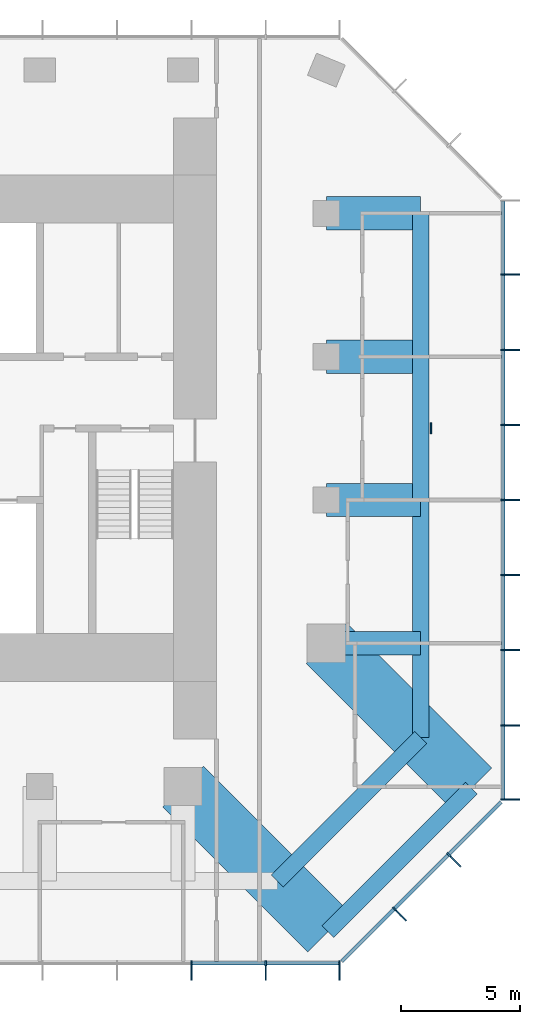
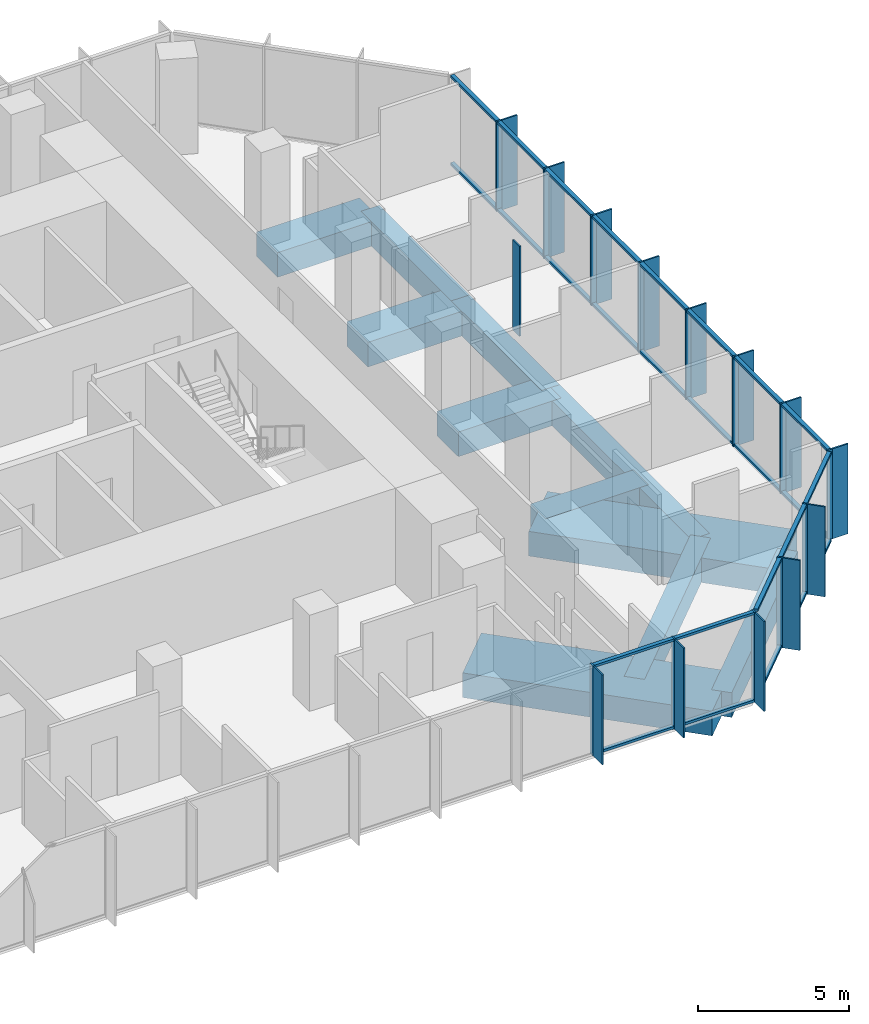
# One storey, part 4 of 11: 53 members, 11 beams, 3 elements without a shape of their own.
"""IFC4 building model written with IfcOpenShell, lengths in metres."""

from ifc_helpers import new_model, si_unit, direction, frame, origin, origin_2d, place, context, subcontext, project, spatial, rectangle, extrude, material, layer, layer_set, material_profile, profile_set, type_object, element, aggregate, save


model = new_model("IFC4")

# Units and contexts
model_context = context("Model", 3, precision=1e-05, world=origin(), true_north=direction((0.0, 1.0)))
body_context = subcontext(model_context, "Body", "Model", "MODEL_VIEW")
ifc_project = project(units=[si_unit("LENGTHUNIT", "METRE"), si_unit("AREAUNIT", "SQUARE_METRE"), si_unit("VOLUMEUNIT", "CUBIC_METRE"), si_unit("PLANEANGLEUNIT", "RADIAN"), si_unit("MASSUNIT", "GRAM", prefix="KILO")], contexts=[model_context])

# Site, building, storey
site_placement = place(None, origin())
site = spatial("IfcSite", under=ifc_project, at=site_placement, CompositionType="ELEMENT")
building_placement = place(site_placement, origin())
building = spatial("IfcBuilding", under=site, at=building_placement, Name="Highveld Stack Headquarters", CompositionType="ELEMENT")
storey_placement = place(building_placement, frame((0.0, 0.0, 291.800048828125)))
storey = spatial("IfcBuildingStorey", under=building, at=storey_placement, Name="L72", CompositionType="ELEMENT", Elevation=291.800048828125)

# Beams
ifc_material_1 = material(Name="Concrete C60/75", Category="concrete")
ifc_material_profile_1 = material_profile(ifc_material_1, rectangle(XDim=1.0, YDim=1.0, at=origin_2d()), Name="RC 1000x1000")
ifc_profile_set_1 = profile_set([ifc_material_profile_1], Name="Concrete C60/75")
beam_type_1 = type_object("IfcBeamType", Name="CANTILEVER RIB RC 1000x1000", PredefinedType="USERDEFINED", material=ifc_profile_set_1)
beam_1_placement = place(storey_placement, frame((24.0, -6.0, -0.75), z_axis=(1.0, 0.0, 0.0), x_axis=(0.0, 1.0, 0.0)))
element("IfcBeam", 1, at=beam_1_placement, inside=storey, type_object=beam_type_1, Name="Cantilever rib 10/D L72", ObjectType="CANTILEVER RIB", PredefinedType="USERDEFINED", context=body_context, shape_type="SweptSolid", body=[
    extrude(rectangle(XDim=1.0, YDim=1.0, at=origin_2d()), origin(), (0.0, 0.0, 1.0), 3.949951171875),
])
ifc_material_2 = material(Name="Concrete C60/75", Category="concrete")
ifc_material_profile_2 = material_profile(ifc_material_2, rectangle(XDim=1.39990234375, YDim=1.0, at=origin_2d()), Name="RC 1400x1000")
ifc_profile_set_2 = profile_set([ifc_material_profile_2], Name="Concrete C60/75")
beam_type_2 = type_object("IfcBeamType", Name="CANTILEVER RIB RC 1400x1000", PredefinedType="USERDEFINED", material=ifc_profile_set_2)
for number, where, z_axis, x_axis, name in (
    (2, (24.0, 0.0, -0.75), (1.0, 0.0, 0.0), (0.0, 1.0, 0.0), "Cantilever rib 10/E L72"),
    (3, (24.0, 6.0, -0.75), (1.0, 0.0, 0.0), (0.0, 1.0, 0.0), "Cantilever rib 10/F L72"),
    (4, (24.0, 12.0, -0.75), (1.0, 0.0, 0.0), (0.0, 1.0, 0.0), "Cantilever rib 10/G L72"),
):
    element("IfcBeam", number, at=place(storey_placement, frame(where, z_axis=z_axis, x_axis=x_axis)), inside=storey, type_object=beam_type_2, Name=name, ObjectType="CANTILEVER RIB", PredefinedType="USERDEFINED", context=body_context, shape_type="SweptSolid", body=[
        extrude(rectangle(XDim=1.39990234375, YDim=1.0, at=origin_2d()), origin(), (0.0, 0.0, 1.0), 3.949951171875),
    ])
ifc_material_3 = material(Name="Concrete C60/75", Category="concrete")
ifc_material_profile_3 = material_profile(ifc_material_3, rectangle(XDim=2.39990234375, YDim=1.0, at=origin_2d()), Name="RC 2400x1000")
ifc_profile_set_3 = profile_set([ifc_material_profile_3], Name="Concrete C60/75")
beam_type_3 = type_object("IfcBeamType", Name="CANTILEVER RIB RC 2400x1000", PredefinedType="USERDEFINED", material=ifc_profile_set_3)
for number, where, z_axis, x_axis, name in (
    (5, (18.0, -12.0, -0.75), (0.707106781187, -0.707106781187, 0.0), (0.707106781187, 0.707106781187, 0.0), "Cantilever rib 9/C L72"),
    (6, (24.0, -6.0, -0.75), (0.707106781187, -0.707106781187, 0.0), (0.707106781187, 0.707106781187, 0.0), "Cantilever rib 10/D L72"),
):
    element("IfcBeam", number, at=place(storey_placement, frame(where, z_axis=z_axis, x_axis=x_axis)), inside=storey, type_object=beam_type_3, Name=name, ObjectType="CANTILEVER RIB", PredefinedType="USERDEFINED", context=body_context, shape_type="SweptSolid", body=[
        extrude(rectangle(XDim=2.39990234375, YDim=1.0, at=origin_2d()), origin(), (0.0, 0.0, 1.0), 8.585693359375),
    ])

# Curtain wall, members
ifc_material_4 = material(Name="Aluminium bronze anodised", Category="aluminium")
ifc_layer = layer(ifc_material_4, 0.199951171875)
ifc_layer_set = layer_set([ifc_layer], Name="Aluminium bronze anodised")
curtain_wall_type = type_object("IfcCurtainWallType", Name="CW5 EXECUTIVE UNITISED CURTAIN WALL", PredefinedType="NOTDEFINED", material=ifc_layer_set)
curtain_wall_1_placement = place(storey_placement, origin())
curtain_wall_1 = element("IfcCurtainWall", 7, at=curtain_wall_1_placement, inside=storey, type_object=curtain_wall_type, Name="Curtain wall CW5 L72 S", PredefinedType="NOTDEFINED")
ifc_material_5 = material(Name="Aluminium bronze anodised", Category="aluminium")
ifc_material_profile_4 = material_profile(ifc_material_5, rectangle(XDim=0.60009765625, YDim=0.06005859375, at=origin_2d()), Name="FIN 600x60")
ifc_profile_set_4 = profile_set([ifc_material_profile_4], Name="Aluminium bronze anodised")
member_type_1 = type_object("IfcMemberType", Name="CW5 BRONZE FIN 600x60", PredefinedType="USERDEFINED", material=ifc_profile_set_4)
member_1_placement = place(storey_placement, frame((18.347900390625, -19.800048828125, 0.0), z_axis=(0.0, 0.0, 1.0), x_axis=(0.0, 1.0, 0.0)))
member_1 = element("IfcMember", 8, at=member_1_placement, type_object=member_type_1, Name="CW5 fin L72 9", ObjectType="FIN", PredefinedType="USERDEFINED", context=body_context, shape_type="SweptSolid", body=[
    extrude(rectangle(XDim=0.60009765625, YDim=0.06005859375, at=origin_2d()), origin(), (0.0, 0.0, 1.0), 3.64990234375),
])
member_2_placement = place(storey_placement, frame((21.4638671875, -19.800048828125, 0.0), z_axis=(0.0, 0.0, 1.0), x_axis=(0.0, 1.0, 0.0)))
member_2 = element("IfcMember", 9, at=member_2_placement, type_object=member_type_1, Name="CW5 fin L72 10", ObjectType="FIN", PredefinedType="USERDEFINED", context=body_context, shape_type="SweptSolid", body=[
    extrude(rectangle(XDim=0.60009765625, YDim=0.06005859375, at=origin_2d()), origin(), (0.0, 0.0, 1.0), 3.64990234375),
])
member_3_placement = place(storey_placement, frame((24.54736328125, -19.800048828125, 0.0), z_axis=(0.0, 0.0, 1.0), x_axis=(0.0, 1.0, 0.0)))
member_3 = element("IfcMember", 10, at=member_3_placement, type_object=member_type_1, Name="CW5 fin L72 11", ObjectType="FIN", PredefinedType="USERDEFINED", context=body_context, shape_type="SweptSolid", body=[
    extrude(rectangle(XDim=0.60009765625, YDim=0.06005859375, at=origin_2d()), origin(), (0.0, 0.0, 1.0), 3.64990234375),
])

curtain_wall_2_placement = place(storey_placement, origin())
curtain_wall_2 = element("IfcCurtainWall", 11, at=curtain_wall_2_placement, inside=storey, type_object=curtain_wall_type, Name="Curtain wall CW5 L72 SE", PredefinedType="NOTDEFINED")
member_4_placement = place(storey_placement, frame((27.135986328125, -17.409423828125, 0.0), z_axis=(0.0, 0.0, 1.0), x_axis=(-0.707106781187, 0.707106781187, 0.0)))
member_4 = element("IfcMember", 12, at=member_4_placement, type_object=member_type_1, Name="CW5 fin L72 1", ObjectType="FIN", PredefinedType="USERDEFINED", context=body_context, shape_type="SweptSolid", body=[
    extrude(rectangle(XDim=0.60009765625, YDim=0.06005859375, at=origin_2d()), origin(), (0.0, 0.0, 1.0), 3.64990234375),
])
member_5_placement = place(storey_placement, frame((29.409423828125, -15.135986328125, 0.0), z_axis=(0.0, 0.0, 1.0), x_axis=(-0.707106781187, 0.707106781187, 0.0)))
member_5 = element("IfcMember", 13, at=member_5_placement, type_object=member_type_1, Name="CW5 fin L72 2", ObjectType="FIN", PredefinedType="USERDEFINED", context=body_context, shape_type="SweptSolid", body=[
    extrude(rectangle(XDim=0.60009765625, YDim=0.06005859375, at=origin_2d()), origin(), (0.0, 0.0, 1.0), 3.64990234375),
])

curtain_wall_3_placement = place(storey_placement, origin())
curtain_wall_3 = element("IfcCurtainWall", 14, at=curtain_wall_3_placement, inside=storey, type_object=curtain_wall_type, Name="Curtain wall CW5 L72 E", PredefinedType="NOTDEFINED")
member_6_placement = place(storey_placement, frame((31.800048828125, -12.54736328125, 0.0), z_axis=(0.0, 0.0, 1.0), x_axis=(-1.0, 0.0, 0.0)))
member_6 = element("IfcMember", 15, at=member_6_placement, type_object=member_type_1, Name="CW5 fin L72 1", ObjectType="FIN", PredefinedType="USERDEFINED", context=body_context, shape_type="SweptSolid", body=[
    extrude(rectangle(XDim=0.60009765625, YDim=0.06005859375, at=origin_2d()), origin(), (0.0, 0.0, 1.0), 3.64990234375),
])
member_7_placement = place(storey_placement, frame((31.800048828125, -9.434814453125, 0.0), z_axis=(0.0, 0.0, 1.0), x_axis=(-1.0, 0.0, 0.0)))
member_7 = element("IfcMember", 16, at=member_7_placement, type_object=member_type_1, Name="CW5 fin L72 2", ObjectType="FIN", PredefinedType="USERDEFINED", context=body_context, shape_type="SweptSolid", body=[
    extrude(rectangle(XDim=0.60009765625, YDim=0.06005859375, at=origin_2d()), origin(), (0.0, 0.0, 1.0), 3.64990234375),
])
member_8_placement = place(storey_placement, frame((31.800048828125, -6.2900390625, 0.0), z_axis=(0.0, 0.0, 1.0), x_axis=(-1.0, 0.0, 0.0)))
member_8 = element("IfcMember", 17, at=member_8_placement, type_object=member_type_1, Name="CW5 fin L72 3", ObjectType="FIN", PredefinedType="USERDEFINED", context=body_context, shape_type="SweptSolid", body=[
    extrude(rectangle(XDim=0.60009765625, YDim=0.06005859375, at=origin_2d()), origin(), (0.0, 0.0, 1.0), 3.64990234375),
])
member_9_placement = place(storey_placement, frame((31.800048828125, -3.14501953125, 0.0), z_axis=(0.0, 0.0, 1.0), x_axis=(-1.0, 0.0, 0.0)))
member_9 = element("IfcMember", 18, at=member_9_placement, type_object=member_type_1, Name="CW5 fin L72 4", ObjectType="FIN", PredefinedType="USERDEFINED", context=body_context, shape_type="SweptSolid", body=[
    extrude(rectangle(XDim=0.60009765625, YDim=0.06005859375, at=origin_2d()), origin(), (0.0, 0.0, 1.0), 3.64990234375),
])
member_10_placement = place(storey_placement, frame((31.800048828125, 0.0, 0.0), z_axis=(0.0, 0.0, 1.0), x_axis=(-1.0, 0.0, 0.0)))
member_10 = element("IfcMember", 19, at=member_10_placement, type_object=member_type_1, Name="CW5 fin L72 5", ObjectType="FIN", PredefinedType="USERDEFINED", context=body_context, shape_type="SweptSolid", body=[
    extrude(rectangle(XDim=0.60009765625, YDim=0.06005859375, at=origin_2d()), origin(), (0.0, 0.0, 1.0), 3.64990234375),
])
member_11_placement = place(storey_placement, frame((31.800048828125, 3.14501953125, 0.0), z_axis=(0.0, 0.0, 1.0), x_axis=(-1.0, 0.0, 0.0)))
member_11 = element("IfcMember", 20, at=member_11_placement, type_object=member_type_1, Name="CW5 fin L72 6", ObjectType="FIN", PredefinedType="USERDEFINED", context=body_context, shape_type="SweptSolid", body=[
    extrude(rectangle(XDim=0.60009765625, YDim=0.06005859375, at=origin_2d()), origin(), (0.0, 0.0, 1.0), 3.64990234375),
])
member_12_placement = place(storey_placement, frame((31.800048828125, 6.289794921875, 0.0), z_axis=(0.0, 0.0, 1.0), x_axis=(-1.0, 0.0, 0.0)))
member_12 = element("IfcMember", 21, at=member_12_placement, type_object=member_type_1, Name="CW5 fin L72 7", ObjectType="FIN", PredefinedType="USERDEFINED", context=body_context, shape_type="SweptSolid", body=[
    extrude(rectangle(XDim=0.60009765625, YDim=0.06005859375, at=origin_2d()), origin(), (0.0, 0.0, 1.0), 3.64990234375),
])
member_13_placement = place(storey_placement, frame((31.800048828125, 9.434814453125, 0.0), z_axis=(0.0, 0.0, 1.0), x_axis=(-1.0, 0.0, 0.0)))
member_13 = element("IfcMember", 22, at=member_13_placement, type_object=member_type_1, Name="CW5 fin L72 8", ObjectType="FIN", PredefinedType="USERDEFINED", context=body_context, shape_type="SweptSolid", body=[
    extrude(rectangle(XDim=0.60009765625, YDim=0.06005859375, at=origin_2d()), origin(), (0.0, 0.0, 1.0), 3.64990234375),
])

# Member
ifc_material_6 = material(Name="Aluminium bronze anodised", Category="aluminium")
ifc_material_profile_5 = material_profile(ifc_material_6, rectangle(XDim=0.199951171875, YDim=0.06494140625, at=origin_2d()), Name="CW5 MULLION 65x200")
ifc_profile_set_5 = profile_set([ifc_material_profile_5], Name="Aluminium bronze anodised")
member_type_2 = type_object("IfcMemberType", Name="CW5 MULLION 65x200", PredefinedType="MULLION", material=ifc_profile_set_5)
member_14_placement = place(storey_placement, frame((18.347900390625, -19.39990234375, 0.0), z_axis=(0.0, 0.0, 1.0), x_axis=(0.0, 1.0, 0.0)))
member_14 = element("IfcMember", 23, at=member_14_placement, type_object=member_type_2, Name="CW5 mullion L72 9", PredefinedType="MULLION", context=body_context, shape_type="SweptSolid", body=[
    extrude(rectangle(XDim=0.199951171875, YDim=0.06494140625, at=origin_2d()), origin(), (0.0, 0.0, 1.0), 3.64990234375),
])

member_15_placement = place(storey_placement, frame((21.4638671875, -19.39990234375, 0.0), z_axis=(0.0, 0.0, 1.0), x_axis=(0.0, 1.0, 0.0)))
member_15 = element("IfcMember", 24, at=member_15_placement, type_object=member_type_2, Name="CW5 mullion L72 10", PredefinedType="MULLION", context=body_context, shape_type="SweptSolid", body=[
    extrude(rectangle(XDim=0.199951171875, YDim=0.06494140625, at=origin_2d()), origin(), (0.0, 0.0, 1.0), 3.64990234375),
])

member_16_placement = place(storey_placement, frame((24.54736328125, -19.39990234375, 0.0), z_axis=(0.0, 0.0, 1.0), x_axis=(0.0, 1.0, 0.0)))
member_16 = element("IfcMember", 25, at=member_16_placement, type_object=member_type_2, Name="CW5 mullion L72 11", PredefinedType="MULLION", context=body_context, shape_type="SweptSolid", body=[
    extrude(rectangle(XDim=0.199951171875, YDim=0.06494140625, at=origin_2d()), origin(), (0.0, 0.0, 1.0), 3.64990234375),
])

member_17_placement = place(storey_placement, frame((26.853271484375, -17.126708984375, 0.0), z_axis=(0.0, 0.0, 1.0), x_axis=(-0.707106781187, 0.707106781187, 0.0)))
member_17 = element("IfcMember", 26, at=member_17_placement, type_object=member_type_2, Name="CW5 mullion L72 1", PredefinedType="MULLION", context=body_context, shape_type="SweptSolid", body=[
    extrude(rectangle(XDim=0.199951171875, YDim=0.06494140625, at=origin_2d()), origin(), (0.0, 0.0, 1.0), 3.64990234375),
])

member_18_placement = place(storey_placement, frame((29.126708984375, -14.853271484375, 0.0), z_axis=(0.0, 0.0, 1.0), x_axis=(-0.707106781187, 0.707106781187, 0.0)))
member_18 = element("IfcMember", 27, at=member_18_placement, type_object=member_type_2, Name="CW5 mullion L72 2", PredefinedType="MULLION", context=body_context, shape_type="SweptSolid", body=[
    extrude(rectangle(XDim=0.199951171875, YDim=0.06494140625, at=origin_2d()), origin(), (0.0, 0.0, 1.0), 3.64990234375),
])

member_19_placement = place(storey_placement, frame((31.39990234375, -12.54736328125, 0.0), z_axis=(0.0, 0.0, 1.0), x_axis=(-1.0, 0.0, 0.0)))
member_19 = element("IfcMember", 28, at=member_19_placement, type_object=member_type_2, Name="CW5 mullion L72 1", PredefinedType="MULLION", context=body_context, shape_type="SweptSolid", body=[
    extrude(rectangle(XDim=0.199951171875, YDim=0.06494140625, at=origin_2d()), origin(), (0.0, 0.0, 1.0), 3.64990234375),
])

member_20_placement = place(storey_placement, frame((31.39990234375, -9.434814453125, 0.0), z_axis=(0.0, 0.0, 1.0), x_axis=(-1.0, 0.0, 0.0)))
member_20 = element("IfcMember", 29, at=member_20_placement, type_object=member_type_2, Name="CW5 mullion L72 2", PredefinedType="MULLION", context=body_context, shape_type="SweptSolid", body=[
    extrude(rectangle(XDim=0.199951171875, YDim=0.06494140625, at=origin_2d()), origin(), (0.0, 0.0, 1.0), 3.64990234375),
])

member_21_placement = place(storey_placement, frame((31.39990234375, -6.2900390625, 0.0), z_axis=(0.0, 0.0, 1.0), x_axis=(-1.0, 0.0, 0.0)))
member_21 = element("IfcMember", 30, at=member_21_placement, type_object=member_type_2, Name="CW5 mullion L72 3", PredefinedType="MULLION", context=body_context, shape_type="SweptSolid", body=[
    extrude(rectangle(XDim=0.199951171875, YDim=0.06494140625, at=origin_2d()), origin(), (0.0, 0.0, 1.0), 3.64990234375),
])

member_22_placement = place(storey_placement, frame((31.39990234375, -3.14501953125, 0.0), z_axis=(0.0, 0.0, 1.0), x_axis=(-1.0, 0.0, 0.0)))
member_22 = element("IfcMember", 31, at=member_22_placement, type_object=member_type_2, Name="CW5 mullion L72 4", PredefinedType="MULLION", context=body_context, shape_type="SweptSolid", body=[
    extrude(rectangle(XDim=0.199951171875, YDim=0.06494140625, at=origin_2d()), origin(), (0.0, 0.0, 1.0), 3.64990234375),
])

member_23_placement = place(storey_placement, frame((31.39990234375, 0.0, 0.0), z_axis=(0.0, 0.0, 1.0), x_axis=(-1.0, 0.0, 0.0)))
member_23 = element("IfcMember", 32, at=member_23_placement, type_object=member_type_2, Name="CW5 mullion L72 5", PredefinedType="MULLION", context=body_context, shape_type="SweptSolid", body=[
    extrude(rectangle(XDim=0.199951171875, YDim=0.06494140625, at=origin_2d()), origin(), (0.0, 0.0, 1.0), 3.64990234375),
])

member_24_placement = place(storey_placement, frame((31.39990234375, 3.14501953125, 0.0), z_axis=(0.0, 0.0, 1.0), x_axis=(-1.0, 0.0, 0.0)))
member_24 = element("IfcMember", 33, at=member_24_placement, type_object=member_type_2, Name="CW5 mullion L72 6", PredefinedType="MULLION", context=body_context, shape_type="SweptSolid", body=[
    extrude(rectangle(XDim=0.199951171875, YDim=0.06494140625, at=origin_2d()), origin(), (0.0, 0.0, 1.0), 3.64990234375),
])

member_25_placement = place(storey_placement, frame((31.39990234375, 6.289794921875, 0.0), z_axis=(0.0, 0.0, 1.0), x_axis=(-1.0, 0.0, 0.0)))
member_25 = element("IfcMember", 34, at=member_25_placement, type_object=member_type_2, Name="CW5 mullion L72 7", PredefinedType="MULLION", context=body_context, shape_type="SweptSolid", body=[
    extrude(rectangle(XDim=0.199951171875, YDim=0.06494140625, at=origin_2d()), origin(), (0.0, 0.0, 1.0), 3.64990234375),
])

member_26_placement = place(storey_placement, frame((31.39990234375, 9.434814453125, 0.0), z_axis=(0.0, 0.0, 1.0), x_axis=(-1.0, 0.0, 0.0)))
member_26 = element("IfcMember", 35, at=member_26_placement, type_object=member_type_2, Name="CW5 mullion L72 8", PredefinedType="MULLION", context=body_context, shape_type="SweptSolid", body=[
    extrude(rectangle(XDim=0.199951171875, YDim=0.06494140625, at=origin_2d()), origin(), (0.0, 0.0, 1.0), 3.64990234375),
])

ifc_material_7 = material(Name="Aluminium bronze anodised", Category="aluminium")
ifc_material_profile_6 = material_profile(ifc_material_7, rectangle(XDim=0.14990234375, YDim=0.10009765625, at=origin_2d()), Name="CW5 TRANSOM 150x100")
ifc_profile_set_6 = profile_set([ifc_material_profile_6], Name="Aluminium bronze anodised")
member_type_3 = type_object("IfcMemberType", Name="CW5 STACK TRANSOM 150x100", PredefinedType="USERDEFINED", material=ifc_profile_set_6)
member_27_placement = place(storey_placement, frame((18.38037109375, -19.39990234375, 0.050048828125), z_axis=(1.0, 0.0, 0.0), x_axis=(0.0, 1.0, 0.0)))
member_27 = element("IfcMember", 36, at=member_27_placement, type_object=member_type_3, Name="CW5 transom L72 9.1", ObjectType="TRANSOM", PredefinedType="USERDEFINED", context=body_context, shape_type="SweptSolid", body=[
    extrude(rectangle(XDim=0.14990234375, YDim=0.10009765625, at=origin_2d()), origin(), (0.0, 0.0, 1.0), 3.051025390625),
])

member_28_placement = place(storey_placement, frame((18.38037109375, -19.39990234375, 3.599853515625), z_axis=(1.0, 0.0, 0.0), x_axis=(0.0, 1.0, 0.0)))
member_28 = element("IfcMember", 37, at=member_28_placement, type_object=member_type_3, Name="CW5 transom L72 9.2", ObjectType="TRANSOM", PredefinedType="USERDEFINED", context=body_context, shape_type="SweptSolid", body=[
    extrude(rectangle(XDim=0.14990234375, YDim=0.10009765625, at=origin_2d()), origin(), (0.0, 0.0, 1.0), 3.051025390625),
])

member_29_placement = place(storey_placement, frame((21.496337890625, -19.39990234375, 0.050048828125), z_axis=(1.0, 0.0, 0.0), x_axis=(0.0, 1.0, 0.0)))
member_29 = element("IfcMember", 38, at=member_29_placement, type_object=member_type_3, Name="CW5 transom L72 10.1", ObjectType="TRANSOM", PredefinedType="USERDEFINED", context=body_context, shape_type="SweptSolid", body=[
    extrude(rectangle(XDim=0.14990234375, YDim=0.10009765625, at=origin_2d()), origin(), (0.0, 0.0, 1.0), 3.0185546875),
])

member_30_placement = place(storey_placement, frame((21.496337890625, -19.39990234375, 3.599853515625), z_axis=(1.0, 0.0, 0.0), x_axis=(0.0, 1.0, 0.0)))
member_30 = element("IfcMember", 39, at=member_30_placement, type_object=member_type_3, Name="CW5 transom L72 10.2", ObjectType="TRANSOM", PredefinedType="USERDEFINED", context=body_context, shape_type="SweptSolid", body=[
    extrude(rectangle(XDim=0.14990234375, YDim=0.10009765625, at=origin_2d()), origin(), (0.0, 0.0, 1.0), 3.0185546875),
])

aggregate(curtain_wall_1, [member_14, member_1, member_15, member_2, member_16, member_3, member_27, member_28, member_29, member_30])

member_31_placement = place(storey_placement, frame((24.650634765625, -19.329345703125, 0.050048828125), z_axis=(0.707106781187, 0.707106781187, 0.0), x_axis=(-0.707106781187, 0.707106781187, 0.0)))
member_31 = element("IfcMember", 40, at=member_31_placement, type_object=member_type_3, Name="CW5 transom L72 1.1", ObjectType="TRANSOM", PredefinedType="USERDEFINED", context=body_context, shape_type="SweptSolid", body=[
    extrude(rectangle(XDim=0.14990234375, YDim=0.10009765625, at=origin_2d()), origin(), (0.0, 0.0, 1.0), 3.08251953125),
])

member_32_placement = place(storey_placement, frame((24.650634765625, -19.329345703125, 3.599853515625), z_axis=(0.707106781187, 0.707106781187, 0.0), x_axis=(-0.707106781187, 0.707106781187, 0.0)))
member_32 = element("IfcMember", 41, at=member_32_placement, type_object=member_type_3, Name="CW5 transom L72 1.2", ObjectType="TRANSOM", PredefinedType="USERDEFINED", context=body_context, shape_type="SweptSolid", body=[
    extrude(rectangle(XDim=0.14990234375, YDim=0.10009765625, at=origin_2d()), origin(), (0.0, 0.0, 1.0), 3.08251953125),
])

member_33_placement = place(storey_placement, frame((26.876220703125, -17.103759765625, 0.050048828125), z_axis=(0.707106781187, 0.707106781187, 0.0), x_axis=(-0.707106781187, 0.707106781187, 0.0)))
member_33 = element("IfcMember", 42, at=member_33_placement, type_object=member_type_3, Name="CW5 transom L72 2.1", ObjectType="TRANSOM", PredefinedType="USERDEFINED", context=body_context, shape_type="SweptSolid", body=[
    extrude(rectangle(XDim=0.14990234375, YDim=0.10009765625, at=origin_2d()), origin(), (0.0, 0.0, 1.0), 3.150146484375),
])

member_34_placement = place(storey_placement, frame((26.876220703125, -17.103759765625, 3.599853515625), z_axis=(0.707106781187, 0.707106781187, 0.0), x_axis=(-0.707106781187, 0.707106781187, 0.0)))
member_34 = element("IfcMember", 43, at=member_34_placement, type_object=member_type_3, Name="CW5 transom L72 2.2", ObjectType="TRANSOM", PredefinedType="USERDEFINED", context=body_context, shape_type="SweptSolid", body=[
    extrude(rectangle(XDim=0.14990234375, YDim=0.10009765625, at=origin_2d()), origin(), (0.0, 0.0, 1.0), 3.150146484375),
])

member_35_placement = place(storey_placement, frame((29.149658203125, -14.830322265625, 0.050048828125), z_axis=(0.707106781187, 0.707106781187, 0.0), x_axis=(-0.707106781187, 0.707106781187, 0.0)))
member_35 = element("IfcMember", 44, at=member_35_placement, type_object=member_type_3, Name="CW5 transom L72 3.1", ObjectType="TRANSOM", PredefinedType="USERDEFINED", context=body_context, shape_type="SweptSolid", body=[
    extrude(rectangle(XDim=0.14990234375, YDim=0.10009765625, at=origin_2d()), origin(), (0.0, 0.0, 1.0), 3.08251953125),
])

member_36_placement = place(storey_placement, frame((29.149658203125, -14.830322265625, 3.599853515625), z_axis=(0.707106781187, 0.707106781187, 0.0), x_axis=(-0.707106781187, 0.707106781187, 0.0)))
member_36 = element("IfcMember", 45, at=member_36_placement, type_object=member_type_3, Name="CW5 transom L72 3.2", ObjectType="TRANSOM", PredefinedType="USERDEFINED", context=body_context, shape_type="SweptSolid", body=[
    extrude(rectangle(XDim=0.14990234375, YDim=0.10009765625, at=origin_2d()), origin(), (0.0, 0.0, 1.0), 3.08251953125),
])

aggregate(curtain_wall_2, [member_17, member_4, member_18, member_5, member_31, member_32, member_33, member_34, member_35, member_36])

member_37_placement = place(storey_placement, frame((31.39990234375, -12.514892578125, 0.050048828125), z_axis=(0.0, 1.0, 0.0), x_axis=(-1.0, 0.0, 0.0)))
member_37 = element("IfcMember", 46, at=member_37_placement, type_object=member_type_3, Name="CW5 transom L72 1.1", ObjectType="TRANSOM", PredefinedType="USERDEFINED", context=body_context, shape_type="SweptSolid", body=[
    extrude(rectangle(XDim=0.14990234375, YDim=0.10009765625, at=origin_2d()), origin(), (0.0, 0.0, 1.0), 3.047607421875),
])

member_38_placement = place(storey_placement, frame((31.39990234375, -12.514892578125, 3.599853515625), z_axis=(0.0, 1.0, 0.0), x_axis=(-1.0, 0.0, 0.0)))
member_38 = element("IfcMember", 47, at=member_38_placement, type_object=member_type_3, Name="CW5 transom L72 1.2", ObjectType="TRANSOM", PredefinedType="USERDEFINED", context=body_context, shape_type="SweptSolid", body=[
    extrude(rectangle(XDim=0.14990234375, YDim=0.10009765625, at=origin_2d()), origin(), (0.0, 0.0, 1.0), 3.047607421875),
])

member_39_placement = place(storey_placement, frame((31.39990234375, -9.40234375, 0.050048828125), z_axis=(0.0, 1.0, 0.0), x_axis=(-1.0, 0.0, 0.0)))
member_39 = element("IfcMember", 48, at=member_39_placement, type_object=member_type_3, Name="CW5 transom L72 2.1", ObjectType="TRANSOM", PredefinedType="USERDEFINED", context=body_context, shape_type="SweptSolid", body=[
    extrude(rectangle(XDim=0.14990234375, YDim=0.10009765625, at=origin_2d()), origin(), (0.0, 0.0, 1.0), 3.079833984375),
])

member_40_placement = place(storey_placement, frame((31.39990234375, -9.40234375, 3.599853515625), z_axis=(0.0, 1.0, 0.0), x_axis=(-1.0, 0.0, 0.0)))
member_40 = element("IfcMember", 49, at=member_40_placement, type_object=member_type_3, Name="CW5 transom L72 2.2", ObjectType="TRANSOM", PredefinedType="USERDEFINED", context=body_context, shape_type="SweptSolid", body=[
    extrude(rectangle(XDim=0.14990234375, YDim=0.10009765625, at=origin_2d()), origin(), (0.0, 0.0, 1.0), 3.079833984375),
])

member_41_placement = place(storey_placement, frame((31.39990234375, -6.257568359375, 0.050048828125), z_axis=(0.0, 1.0, 0.0), x_axis=(-1.0, 0.0, 0.0)))
member_41 = element("IfcMember", 50, at=member_41_placement, type_object=member_type_3, Name="CW5 transom L72 3.1", ObjectType="TRANSOM", PredefinedType="USERDEFINED", context=body_context, shape_type="SweptSolid", body=[
    extrude(rectangle(XDim=0.14990234375, YDim=0.10009765625, at=origin_2d()), origin(), (0.0, 0.0, 1.0), 3.080078125),
])

member_42_placement = place(storey_placement, frame((31.39990234375, -6.257568359375, 3.599853515625), z_axis=(0.0, 1.0, 0.0), x_axis=(-1.0, 0.0, 0.0)))
member_42 = element("IfcMember", 51, at=member_42_placement, type_object=member_type_3, Name="CW5 transom L72 3.2", ObjectType="TRANSOM", PredefinedType="USERDEFINED", context=body_context, shape_type="SweptSolid", body=[
    extrude(rectangle(XDim=0.14990234375, YDim=0.10009765625, at=origin_2d()), origin(), (0.0, 0.0, 1.0), 3.080078125),
])

member_43_placement = place(storey_placement, frame((31.39990234375, -3.112548828125, 0.050048828125), z_axis=(0.0, 1.0, 0.0), x_axis=(-1.0, 0.0, 0.0)))
member_43 = element("IfcMember", 52, at=member_43_placement, type_object=member_type_3, Name="CW5 transom L72 4.1", ObjectType="TRANSOM", PredefinedType="USERDEFINED", context=body_context, shape_type="SweptSolid", body=[
    extrude(rectangle(XDim=0.14990234375, YDim=0.10009765625, at=origin_2d()), origin(), (0.0, 0.0, 1.0), 3.080078125),
])

member_44_placement = place(storey_placement, frame((31.39990234375, -3.112548828125, 3.599853515625), z_axis=(0.0, 1.0, 0.0), x_axis=(-1.0, 0.0, 0.0)))
member_44 = element("IfcMember", 53, at=member_44_placement, type_object=member_type_3, Name="CW5 transom L72 4.2", ObjectType="TRANSOM", PredefinedType="USERDEFINED", context=body_context, shape_type="SweptSolid", body=[
    extrude(rectangle(XDim=0.14990234375, YDim=0.10009765625, at=origin_2d()), origin(), (0.0, 0.0, 1.0), 3.080078125),
])

member_45_placement = place(storey_placement, frame((31.39990234375, 0.032470703125, 0.050048828125), z_axis=(0.0, 1.0, 0.0), x_axis=(-1.0, 0.0, 0.0)))
member_45 = element("IfcMember", 54, at=member_45_placement, type_object=member_type_3, Name="CW5 transom L72 5.1", ObjectType="TRANSOM", PredefinedType="USERDEFINED", context=body_context, shape_type="SweptSolid", body=[
    extrude(rectangle(XDim=0.14990234375, YDim=0.10009765625, at=origin_2d()), origin(), (0.0, 0.0, 1.0), 3.080078125),
])

member_46_placement = place(storey_placement, frame((31.39990234375, 0.032470703125, 3.599853515625), z_axis=(0.0, 1.0, 0.0), x_axis=(-1.0, 0.0, 0.0)))
member_46 = element("IfcMember", 55, at=member_46_placement, type_object=member_type_3, Name="CW5 transom L72 5.2", ObjectType="TRANSOM", PredefinedType="USERDEFINED", context=body_context, shape_type="SweptSolid", body=[
    extrude(rectangle(XDim=0.14990234375, YDim=0.10009765625, at=origin_2d()), origin(), (0.0, 0.0, 1.0), 3.080078125),
])

member_47_placement = place(storey_placement, frame((31.39990234375, 3.177490234375, 0.050048828125), z_axis=(0.0, 1.0, 0.0), x_axis=(-1.0, 0.0, 0.0)))
member_47 = element("IfcMember", 56, at=member_47_placement, type_object=member_type_3, Name="CW5 transom L72 6.1", ObjectType="TRANSOM", PredefinedType="USERDEFINED", context=body_context, shape_type="SweptSolid", body=[
    extrude(rectangle(XDim=0.14990234375, YDim=0.10009765625, at=origin_2d()), origin(), (0.0, 0.0, 1.0), 3.080078125),
])

member_48_placement = place(storey_placement, frame((31.39990234375, 3.177490234375, 3.599853515625), z_axis=(0.0, 1.0, 0.0), x_axis=(-1.0, 0.0, 0.0)))
member_48 = element("IfcMember", 57, at=member_48_placement, type_object=member_type_3, Name="CW5 transom L72 6.2", ObjectType="TRANSOM", PredefinedType="USERDEFINED", context=body_context, shape_type="SweptSolid", body=[
    extrude(rectangle(XDim=0.14990234375, YDim=0.10009765625, at=origin_2d()), origin(), (0.0, 0.0, 1.0), 3.080078125),
])

member_49_placement = place(storey_placement, frame((31.39990234375, 6.322509765625, 0.050048828125), z_axis=(0.0, 1.0, 0.0), x_axis=(-1.0, 0.0, 0.0)))
member_49 = element("IfcMember", 58, at=member_49_placement, type_object=member_type_3, Name="CW5 transom L72 7.1", ObjectType="TRANSOM", PredefinedType="USERDEFINED", context=body_context, shape_type="SweptSolid", body=[
    extrude(rectangle(XDim=0.14990234375, YDim=0.10009765625, at=origin_2d()), origin(), (0.0, 0.0, 1.0), 3.079833984375),
])

member_50_placement = place(storey_placement, frame((31.39990234375, 6.322509765625, 3.599853515625), z_axis=(0.0, 1.0, 0.0), x_axis=(-1.0, 0.0, 0.0)))
member_50 = element("IfcMember", 59, at=member_50_placement, type_object=member_type_3, Name="CW5 transom L72 7.2", ObjectType="TRANSOM", PredefinedType="USERDEFINED", context=body_context, shape_type="SweptSolid", body=[
    extrude(rectangle(XDim=0.14990234375, YDim=0.10009765625, at=origin_2d()), origin(), (0.0, 0.0, 1.0), 3.079833984375),
])

member_51_placement = place(storey_placement, frame((31.39990234375, 9.46728515625, 0.050048828125), z_axis=(0.0, 1.0, 0.0), x_axis=(-1.0, 0.0, 0.0)))
member_51 = element("IfcMember", 60, at=member_51_placement, type_object=member_type_3, Name="CW5 transom L72 8.1", ObjectType="TRANSOM", PredefinedType="USERDEFINED", context=body_context, shape_type="SweptSolid", body=[
    extrude(rectangle(XDim=0.14990234375, YDim=0.10009765625, at=origin_2d()), origin(), (0.0, 0.0, 1.0), 3.047607421875),
])

member_52_placement = place(storey_placement, frame((31.39990234375, 9.46728515625, 3.599853515625), z_axis=(0.0, 1.0, 0.0), x_axis=(-1.0, 0.0, 0.0)))
member_52 = element("IfcMember", 61, at=member_52_placement, type_object=member_type_3, Name="CW5 transom L72 8.2", ObjectType="TRANSOM", PredefinedType="USERDEFINED", context=body_context, shape_type="SweptSolid", body=[
    extrude(rectangle(XDim=0.14990234375, YDim=0.10009765625, at=origin_2d()), origin(), (0.0, 0.0, 1.0), 3.047607421875),
])

aggregate(curtain_wall_3, [member_19, member_6, member_20, member_7, member_21, member_8, member_22, member_9, member_23, member_10, member_24, member_11, member_25, member_12, member_26, member_13, member_37, member_38, member_39, member_40, member_41, member_42, member_43, member_44, member_45, member_46, member_47, member_48, member_49, member_50, member_51, member_52])

# Beams
ifc_material_8 = material(Name="Concrete C60/75", Category="concrete")
ifc_material_profile_7 = material_profile(ifc_material_8, rectangle(XDim=0.699951171875, YDim=1.0, at=origin_2d()), Name="RC 700x1000")
ifc_profile_set_7 = profile_set([ifc_material_profile_7], Name="Concrete C60/75")
beam_type_4 = type_object("IfcBeamType", Name="RIB TIP BEAM RC 700x1000", PredefinedType="SPANDREL", material=ifc_profile_set_7)
beam_2_placement = place(storey_placement, frame((27.949951171875, -9.949951171875, -0.75), z_axis=(0.0, 1.0, 0.0), x_axis=(-1.0, 0.0, 0.0)))
element("IfcBeam", 62, at=beam_2_placement, inside=storey, type_object=beam_type_4, Name="Rib tip beam 10/D to 10/E L72", PredefinedType="SPANDREL", context=body_context, shape_type="SweptSolid", body=[
    extrude(rectangle(XDim=0.699951171875, YDim=1.0, at=origin_2d()), origin(), (0.0, 0.0, 1.0), 9.949951171875),
])
for number, where, z_axis, x_axis, name in (
    (63, (27.949951171875, 0.0, -0.75), (0.0, 1.0, 0.0), (-1.0, 0.0, 0.0), "Rib tip beam 10/E to 10/F L72"),
    (64, (27.949951171875, 6.0, -0.75), (0.0, 1.0, 0.0), (-1.0, 0.0, 0.0), "Rib tip beam 10/F to 10/G L72"),
):
    element("IfcBeam", number, at=place(storey_placement, frame(where, z_axis=z_axis, x_axis=x_axis)), inside=storey, type_object=beam_type_4, Name=name, PredefinedType="SPANDREL", context=body_context, shape_type="SweptSolid", body=[
        extrude(rectangle(XDim=0.699951171875, YDim=1.0, at=origin_2d()), origin(), (0.0, 0.0, 1.0), 6.0),
    ])
for number, where, z_axis, x_axis, name in (
    (65, (21.949951171875, -15.949951171875, -0.75), (0.707106781187, 0.707106781187, 0.0), (-0.707106781187, 0.707106781187, 0.0), "Rib tip beam 9/C to 10/D chamfer L72"),
    (66, (24.071044921875, -18.071044921875, -0.75), (0.707106781187, 0.707106781187, 0.0), (-0.707106781187, 0.707106781187, 0.0), "Rib tip beam 9/C to 10/D chamfer edge L72"),
):
    element("IfcBeam", number, at=place(storey_placement, frame(where, z_axis=z_axis, x_axis=x_axis)), inside=storey, type_object=beam_type_4, Name=name, PredefinedType="SPANDREL", context=body_context, shape_type="SweptSolid", body=[
        extrude(rectangle(XDim=0.699951171875, YDim=1.0, at=origin_2d()), origin(), (0.0, 0.0, 1.0), 8.4853515625),
    ])

# Member
ifc_material_9 = material(Name="Galvanised steel ladder", Category="steel")
ifc_material_profile_8 = material_profile(ifc_material_9, rectangle(XDim=0.449951171875, YDim=0.06005859375, at=origin_2d()), Name="LADDER 450x60")
ifc_profile_set_8 = profile_set([ifc_material_profile_8], Name="Galvanised steel ladder")
member_type_4 = type_object("IfcMemberType", Name="ROOF ACCESS LADDER AL1 450", PredefinedType="USERDEFINED", material=ifc_profile_set_8)
member_53_placement = place(storey_placement, frame((28.3798828125, 3.0, 0.0), z_axis=(0.0, 0.0, 1.0), x_axis=(0.0, 1.0, 0.0)))
element("IfcMember", 67, at=member_53_placement, inside=storey, type_object=member_type_4, Name="Roof access ladder L72", ObjectType="LADDER", PredefinedType="USERDEFINED", context=body_context, shape_type="SweptSolid", body=[
    extrude(rectangle(XDim=0.449951171875, YDim=0.06005859375, at=origin_2d()), origin(), (0.0, 0.0, 1.0), 3.64990234375),
])

save(model, "model.ifc")
